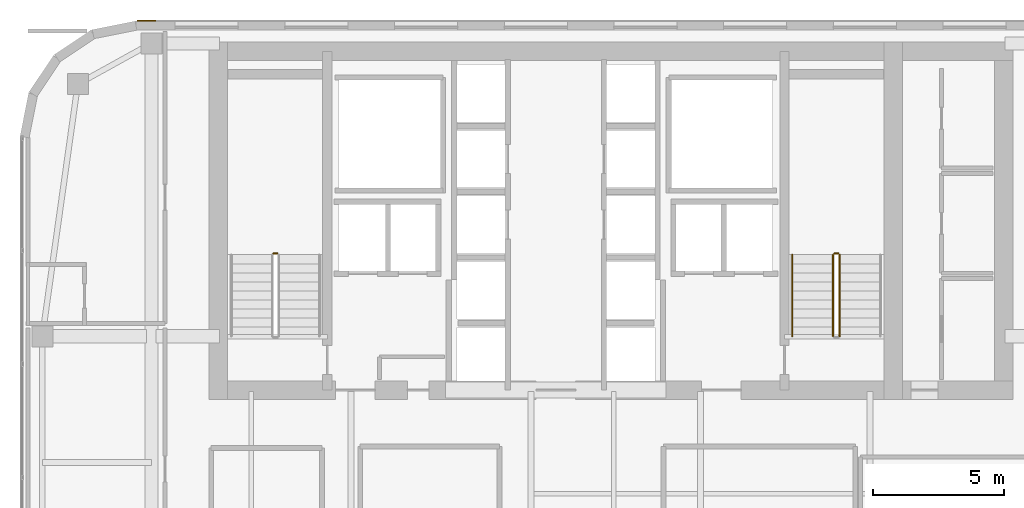
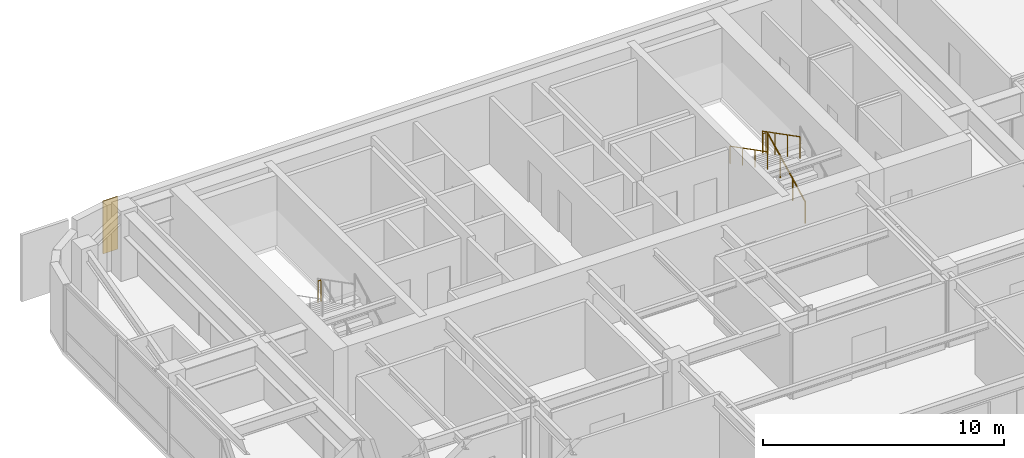
# One storey, part 27 of 28: 5 railings, 1 covering.
"""IFC4 building model written with IfcOpenShell, lengths in metres."""

from ifc_helpers import new_model, si_unit, direction, frame, origin, origin_2d, place, context, subcontext, project, spatial, polyline, circle, outline, extrude, material, layer, layer_set, type_object, element, save


model = new_model("IFC4")

# Units and contexts
model_context = context("Model", 3, precision=1e-05, world=origin(), true_north=direction((0.0, 1.0)))
body_context = subcontext(model_context, "Body", "Model", "MODEL_VIEW")
ifc_project = project(units=[si_unit("LENGTHUNIT", "METRE"), si_unit("AREAUNIT", "SQUARE_METRE"), si_unit("VOLUMEUNIT", "CUBIC_METRE"), si_unit("PLANEANGLEUNIT", "RADIAN"), si_unit("MASSUNIT", "GRAM", prefix="KILO")], contexts=[model_context])

# Site, building, storey
site_placement = place(None, origin())
site = spatial("IfcSite", under=ifc_project, at=site_placement, CompositionType="ELEMENT")
building_placement = place(site_placement, origin())
building = spatial("IfcBuilding", under=site, at=building_placement, Name="Tolvann Quenvar Hotel", CompositionType="ELEMENT")
storey_placement = place(building_placement, frame((0.0, 0.0, 154.14990234375)))
storey = spatial("IfcBuildingStorey", under=building, at=storey_placement, Name="L40", CompositionType="ELEMENT", Elevation=154.14990234375)

# Covering
ifc_material_1 = material(Name="Kiln-fired red architectural face brick cladding", Category="masonry")
ifc_layer = layer(ifc_material_1, 0.0400390625)
ifc_layer_set = layer_set([ifc_layer], Name="Kiln-fired red architectural face brick cladding")
covering_type = type_object("IfcCoveringType", Name="COV_CLAD_BRICK_40", PredefinedType="CLADDING", material=ifc_layer_set)
covering_placement = place(storey_placement, frame((0.0, 0.0, 0.7001953125)))
element("IfcCovering", 1, at=covering_placement, inside=storey, type_object=covering_type, Name="Brick Pier Cladding (L40-E18-P2)", PredefinedType="CLADDING", context=body_context, shape_type="SweptSolid", body=[
    extrude(outline(polyline([(7.76708984375, 46.0), (7.067138671875, 46.0), (7.067138671875, 46.0400390625), (7.76708984375, 46.0400390625), (7.76708984375, 46.0)])), origin(), (0.0, 0.0, 1.0), 2.669921875),
])

# Railings
ifc_material_2 = material(Name="Brushed 316 stainless steel balustrade and handrail", Category="steel")
railing_type_1 = type_object("IfcRailingType", Name="GUARDRAIL", PredefinedType="GUARDRAIL", material=ifc_material_2)
railing_1_placement = place(storey_placement, frame((12.39990234375, 37.155029296875, 1.775146484375)))
element("IfcRailing", 2, at=railing_1_placement, inside=storey, type_object=railing_type_1, Name="L40 ST-C1 stair guard 2", PredefinedType="GUARDRAIL", context=body_context, shape_type="SweptSolid", body=[
    extrude(circle(Radius=0.02392578125, at=origin_2d()), frame((0.0, 0.0, 1.09619140625), z_axis=(-1.0, 0.0, 0.0), x_axis=(0.0, -1.0, 0.0)), (0.0, 0.0, 1.0), 0.14990234375),
    extrude(circle(Radius=0.02099609375, at=origin_2d()), origin(), (0.0, 0.0, 1.0), 1.072021484375),
    extrude(circle(Radius=0.02099609375, at=origin_2d()), frame((-0.14990234375, 0.0, 0.0)), (0.0, 0.0, 1.0), 1.072021484375),
])
railing_2_placement = place(storey_placement, frame((33.800048828125, 34.0, 0.177490234375)))
element("IfcRailing", 3, at=railing_2_placement, inside=storey, type_object=railing_type_1, Name="L40 ST-C2 stair guard 1", PredefinedType="GUARDRAIL", context=body_context, shape_type="SweptSolid", body=[
    extrude(circle(Radius=0.02392578125, at=origin_2d()), frame((0.0, 0.0, 1.09619140625), z_axis=(0.0, 0.88919353882, 0.457531256332), x_axis=(-1.0, 0.0, 0.0)), (0.0, 0.0, 1.0), 3.491943359375),
    extrude(circle(Radius=0.02099609375, at=origin_2d()), origin(), (0.0, 0.0, 1.0), 1.072021484375),
    extrude(circle(Radius=0.02099609375, at=origin_2d()), frame((0.0, 1.034912109375, 0.532470703125)), (0.0, 0.0, 1.0), 1.072021484375),
    extrude(circle(Radius=0.02099609375, at=origin_2d()), frame((0.0, 2.070068359375, 1.065185546875)), (0.0, 0.0, 1.0), 1.072021484375),
    extrude(circle(Radius=0.02099609375, at=origin_2d()), frame((0.0, 3.10498046875, 1.59765625)), (0.0, 0.0, 1.0), 1.072021484375),
])
railing_3_placement = place(storey_placement, frame((33.75, 37.155029296875, 1.775146484375)))
element("IfcRailing", 4, at=railing_3_placement, inside=storey, type_object=railing_type_1, Name="L40 ST-C2 stair guard 2", PredefinedType="GUARDRAIL", context=body_context, shape_type="SweptSolid", body=[
    extrude(circle(Radius=0.02392578125, at=origin_2d()), frame((0.0, 0.0, 1.09619140625), z_axis=(-1.0, 0.0, 0.0), x_axis=(0.0, -1.0, 0.0)), (0.0, 0.0, 1.0), 0.14990234375),
    extrude(circle(Radius=0.02099609375, at=origin_2d()), origin(), (0.0, 0.0, 1.0), 1.072021484375),
    extrude(circle(Radius=0.02099609375, at=origin_2d()), frame((-0.14990234375, 0.0, 0.0)), (0.0, 0.0, 1.0), 1.072021484375),
])
railing_4_placement = place(storey_placement, frame((33.550048828125, 37.10498046875, 1.95263671875)))
element("IfcRailing", 5, at=railing_4_placement, inside=storey, type_object=railing_type_1, Name="L40 ST-C2 stair guard 3", PredefinedType="GUARDRAIL", context=body_context, shape_type="SweptSolid", body=[
    extrude(circle(Radius=0.02392578125, at=origin_2d()), frame((0.0, 0.0, 1.09619140625), z_axis=(0.0, -0.889221982265, 0.45747597342), x_axis=(1.0, 0.0, 0.0)), (0.0, 0.0, 1.0), 3.49169921875),
    extrude(circle(Radius=0.02099609375, at=origin_2d()), origin(), (0.0, 0.0, 1.0), 1.072021484375),
    extrude(circle(Radius=0.02099609375, at=origin_2d()), frame((0.0, -1.034912109375, 0.532470703125)), (0.0, 0.0, 1.0), 1.072021484375),
    extrude(circle(Radius=0.02099609375, at=origin_2d()), frame((0.0, -2.070068359375, 1.06494140625)), (0.0, 0.0, 1.0), 1.072021484375),
    extrude(circle(Radius=0.02099609375, at=origin_2d()), frame((0.0, -3.10498046875, 1.597412109375)), (0.0, 0.0, 1.0), 1.072021484375),
])
railing_type_2 = type_object("IfcRailingType", Name="HANDRAIL", PredefinedType="HANDRAIL", material=ifc_material_2)
railing_5_placement = place(storey_placement, frame((32.0, 37.10498046875, 1.95263671875)))
element("IfcRailing", 6, at=railing_5_placement, inside=storey, type_object=railing_type_2, Name="L40 ST-C2 stair handrail 2", PredefinedType="HANDRAIL", context=body_context, shape_type="SweptSolid", body=[
    extrude(circle(Radius=0.02392578125, at=origin_2d()), frame((0.0, 0.0, 0.8759765625), z_axis=(0.0, -0.889221982265, 0.45747597342), x_axis=(1.0, 0.0, 0.0)), (0.0, 0.0, 1.0), 3.49169921875),
    extrude(circle(Radius=0.02099609375, at=origin_2d()), origin(), (0.0, 0.0, 1.0), 0.851806640625),
    extrude(circle(Radius=0.02099609375, at=origin_2d()), frame((0.0, -1.034912109375, 0.532470703125)), (0.0, 0.0, 1.0), 0.851806640625),
    extrude(circle(Radius=0.02099609375, at=origin_2d()), frame((0.0, -2.070068359375, 1.06494140625)), (0.0, 0.0, 1.0), 0.851806640625),
    extrude(circle(Radius=0.02099609375, at=origin_2d()), frame((0.0, -3.10498046875, 1.597412109375)), (0.0, 0.0, 1.0), 0.851806640625),
])

save(model, "model.ifc")
